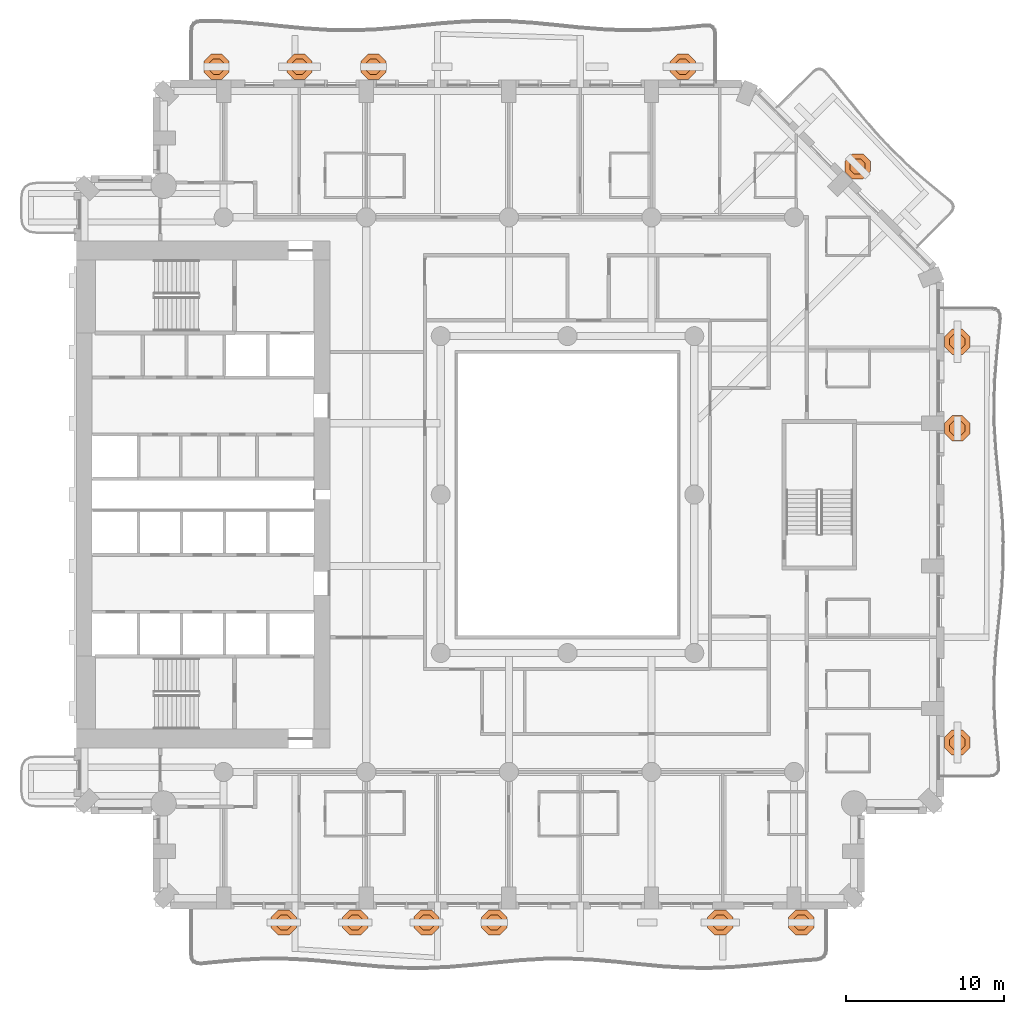
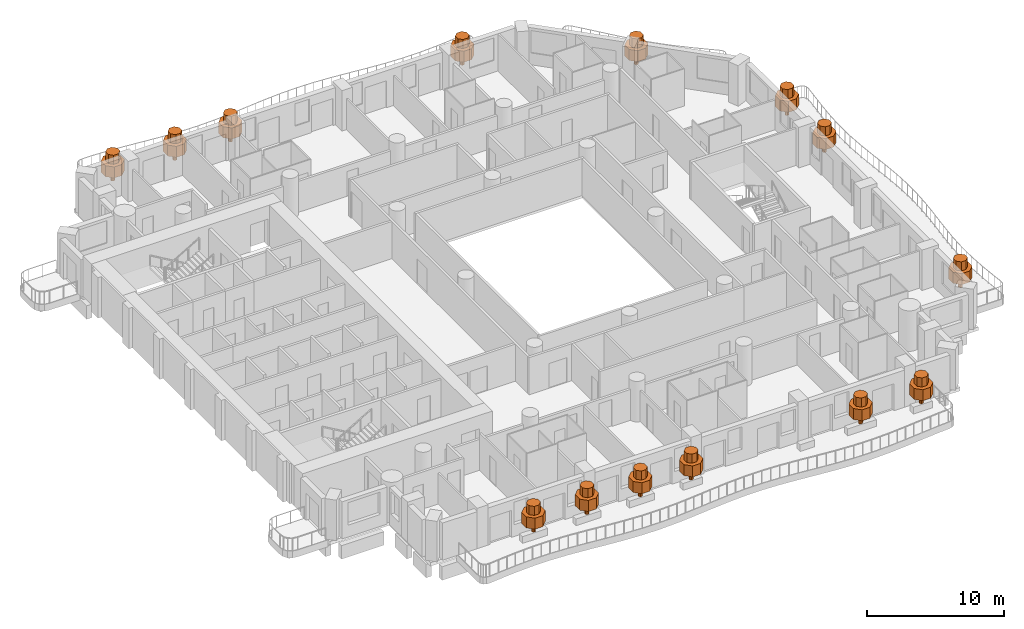
# One storey, part 20 of 20: 14 geographic elements.
"""IFC4 building model written with IfcOpenShell, lengths in metres."""

from ifc_helpers import new_model, si_unit, direction, frame, origin, place, context, subcontext, project, spatial, polyline, outline, extrude, material, type_object, element, save


model = new_model("IFC4")

# Units and contexts
model_context = context("Model", 3, precision=1e-05, world=origin(), true_north=direction((0.0, 1.0)))
body_context = subcontext(model_context, "Body", "Model", "MODEL_VIEW")
ifc_project = project(units=[si_unit("LENGTHUNIT", "METRE"), si_unit("AREAUNIT", "SQUARE_METRE"), si_unit("VOLUMEUNIT", "CUBIC_METRE"), si_unit("PLANEANGLEUNIT", "RADIAN"), si_unit("MASSUNIT", "GRAM", prefix="KILO")], contexts=[model_context])

# Site, building, storey
site_placement = place(None, origin())
site = spatial("IfcSite", under=ifc_project, at=site_placement, CompositionType="ELEMENT")
building_placement = place(site_placement, origin())
building = spatial("IfcBuilding", under=site, at=building_placement, Name="Cypress Arch Tower", CompositionType="ELEMENT")
storey_placement = place(building_placement, frame((0.0, 0.0, 80.699951171875)))
storey = spatial("IfcBuildingStorey", under=building, at=storey_placement, Name="L14", CompositionType="ELEMENT", Elevation=80.699951171875)

# Geographic elements
ifc_material = material(Name="Foliage and planting")
geographic_element_type = type_object("IfcGeographicElementType", Name="Balcony tree TR", PredefinedType="USERDEFINED", material=ifc_material)
for number, where, z_axis, x_axis, name in (
    (1, (-16.89990234375, -27.0, 0.60009765625), (0.0, 0.0, 1.0), (1.0, 0.0, 0.0), "Balcony tree L14-A03.1"),
    (2, (-12.39990234375, -27.0, 0.60009765625), (0.0, 0.0, 1.0), (1.0, 0.0, 0.0), "Balcony tree L14-A03.2"),
    (3, (-7.89990234375, -27.0, 0.60009765625), (0.0, 0.0, 1.0), (1.0, 0.0, 0.0), "Balcony tree L14-A03.3"),
    (4, (-3.625, -27.0, 0.60009765625), (0.0, 0.0, 1.0), (1.0, 0.0, 0.0), "Balcony tree L14-A03.4"),
    (5, (10.639892578125, -27.0, 0.60009765625), (0.0, 0.0, 1.0), (1.0, 0.0, 0.0), "Balcony tree L14-A03.6"),
    (6, (15.75, -27.0, 0.60009765625), (0.0, 0.0, 1.0), (1.0, 0.0, 0.0), "Balcony tree L14-A03.7"),
    (7, (25.60009765625, -15.642822265625, 0.60009765625), (0.0, 0.0, 1.0), (1.0, 0.0, 0.0), "Balcony tree L14-A06.1"),
    (8, (25.60009765625, 4.1826171875, 0.60009765625), (0.0, 0.0, 1.0), (1.0, 0.0, 0.0), "Balcony tree L14-A06.2"),
    (9, (25.60009765625, 9.642822265625, 0.60009765625), (0.0, 0.0, 1.0), (1.0, 0.0, 0.0), "Balcony tree L14-A06.3"),
    (10, (19.30712890625, 20.70703125, 0.60009765625), (0.0, 0.0, 1.0), (1.0, 0.0, 0.0), "Balcony tree L14-A07.2"),
    (11, (8.28125, 27.0, 0.60009765625), (0.0, 0.0, 1.0), (1.0, 0.0, 0.0), "Balcony tree L14-A08.1"),
    (12, (-11.24365234375, 27.0, 0.60009765625), (0.0, 0.0, 1.0), (1.0, 0.0, 0.0), "Balcony tree L14-A08.4"),
    (13, (-15.91259765625, 27.0, 0.60009765625), (0.0, 0.0, 1.0), (1.0, 0.0, 0.0), "Balcony tree L14-A08.5"),
    (14, (-21.14990234375, 27.0, 0.60009765625), (0.0, 0.0, 1.0), (1.0, 0.0, 0.0), "Balcony tree L14-A08.6"),
):
    element("IfcGeographicElement", number, at=place(storey_placement, frame(where, z_axis=z_axis, x_axis=x_axis)), inside=storey, type_object=geographic_element_type, Name=name, ObjectType="TREE", PredefinedType="USERDEFINED", context=body_context, shape_type="SweptSolid", body=[
        extrude(outline(polyline([(0.14990234375, 0.06201171875), (0.06201171875, 0.14990234375), (-0.06201171875, 0.14990234375), (-0.14990234375, 0.06201171875), (-0.14990234375, -0.06201171875), (-0.06201171875, -0.14990234375), (0.06201171875, -0.14990234375), (0.14990234375, -0.06201171875), (0.14990234375, 0.06201171875)])), origin(), (0.0, 0.0, 1.0), 0.864990234375),
        extrude(outline(polyline([(0.800048828125, 0.331298828125), (0.331298828125, 0.800048828125), (-0.331298828125, 0.800048828125), (-0.800048828125, 0.331298828125), (-0.800048828125, -0.331298828125), (-0.331298828125, -0.800048828125), (0.331298828125, -0.800048828125), (0.800048828125, -0.331298828125), (0.800048828125, 0.331298828125)])), frame((0.0, 0.0, 0.764892578125)), (0.0, 0.0, 1.0), 0.981689453125),
        extrude(outline(polyline([(0.47998046875, 0.19873046875), (0.19873046875, 0.47998046875), (-0.19873046875, 0.47998046875), (-0.47998046875, 0.19873046875), (-0.47998046875, -0.19873046875), (-0.19873046875, -0.47998046875), (0.19873046875, -0.47998046875), (0.47998046875, -0.19873046875), (0.47998046875, 0.19873046875)])), frame((0.0, 0.0, 1.746826171875)), (0.0, 0.0, 1.0), 0.80322265625),
    ])

save(model, "model.ifc")
